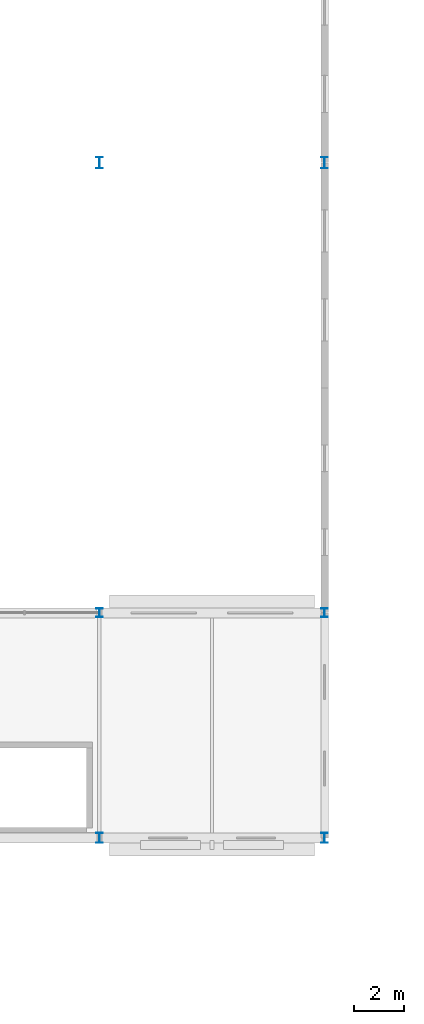
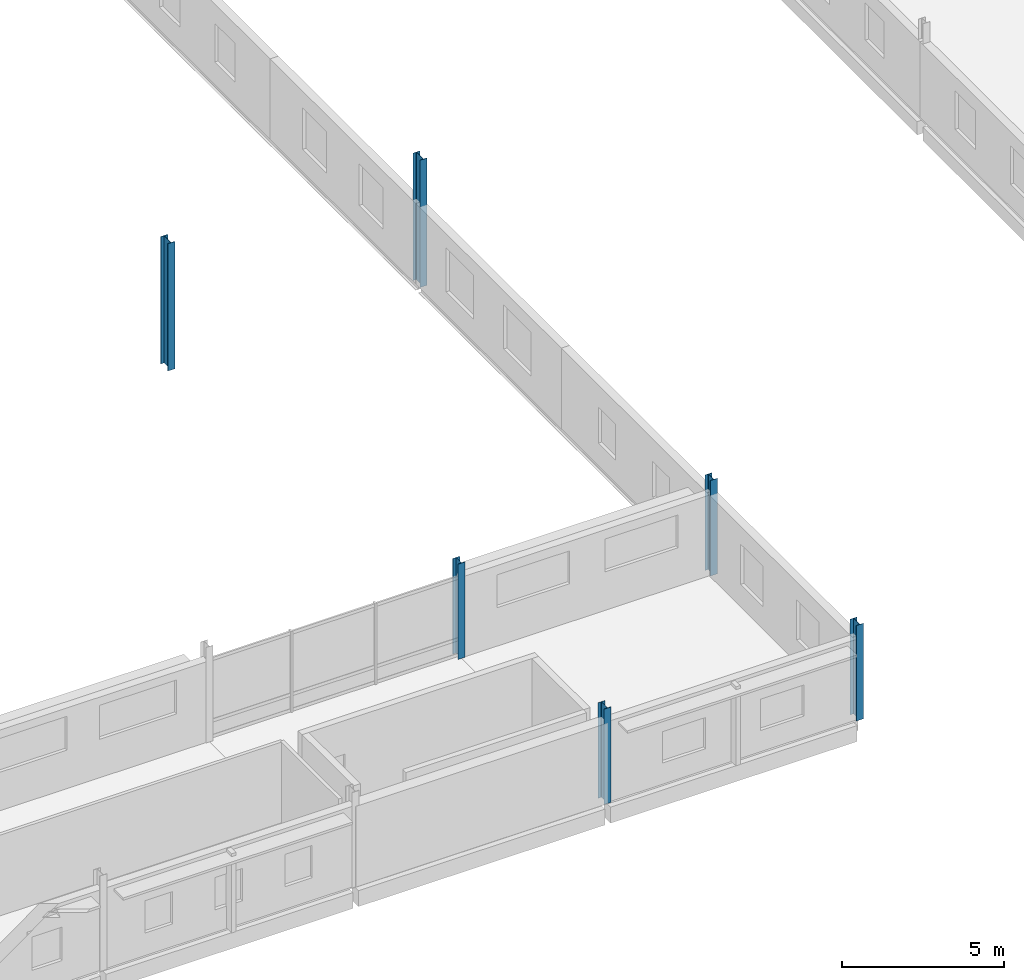
# One storey, part 18 of 132: 6 columns.
"""IFC4 building model written with IfcOpenShell, lengths in metres."""

from ifc_helpers import new_model, si_unit, direction, frame, origin, origin_2d, place, context, subcontext, project, spatial, i_section, extrude, material, material_profile, profile_set, type_object, element, save


model = new_model("IFC4")

# Units and contexts
model_context = context("Model", 3, precision=1e-05, world=origin(), true_north=direction((0.0, 1.0)))
body_context = subcontext(model_context, "Body", "Model", "MODEL_VIEW")
ifc_project = project(units=[si_unit("LENGTHUNIT", "METRE"), si_unit("AREAUNIT", "SQUARE_METRE"), si_unit("VOLUMEUNIT", "CUBIC_METRE"), si_unit("PLANEANGLEUNIT", "RADIAN"), si_unit("MASSUNIT", "GRAM", prefix="KILO")], contexts=[model_context])

# Site, building, storey
site_placement = place(None, origin())
site = spatial("IfcSite", under=ifc_project, at=site_placement, CompositionType="ELEMENT")
building_placement = place(site_placement, origin())
building = spatial("IfcBuilding", under=site, at=building_placement, Name="Tharagai Park Tramway Depot", CompositionType="ELEMENT")
storey_placement = place(building_placement, frame((0.0, 0.0, 4.800048828125)))
storey = spatial("IfcBuildingStorey", under=building, at=storey_placement, Name="L01", CompositionType="ELEMENT", Elevation=4.800048828125)

# Columns
ifc_material = material(Name="Steel E350", Category="steel")
ifc_material_profile_1 = material_profile(ifc_material, i_section(OverallWidth=0.25, OverallDepth=0.449951171875, WebThickness=0.01123046875, FlangeThickness=0.013671875, FilletRadius=0.014892578125, at=origin_2d()), Name="ISHB 450")
ifc_profile_set_1 = profile_set([ifc_material_profile_1], Name="Steel E350")
column_type_1 = type_object("IfcColumnType", Name="CL-01", PredefinedType="COLUMN", material=ifc_profile_set_1)
for number, where, z_axis, x_axis, name in (
    (1, (135.0, 117.0, 0.0), (0.0, 0.0, 1.0), (1.0, 0.0, 0.0), "Shed Stanchion CL-01 (135,117)"),
    (2, (144.0, 117.0, 0.0), (0.0, 0.0, 1.0), (1.0, 0.0, 0.0), "Shed Stanchion CL-01 (144,117)"),
):
    element("IfcColumn", number, at=place(storey_placement, frame(where, z_axis=z_axis, x_axis=x_axis)), inside=storey, type_object=column_type_1, Name=name, PredefinedType="COLUMN", context=body_context, shape_type="SweptSolid", body=[
        extrude(i_section(OverallWidth=0.25, OverallDepth=0.449951171875, WebThickness=0.01123046875, FlangeThickness=0.013671875, FilletRadius=0.014892578125, at=origin_2d()), origin(), (0.0, 0.0, 1.0), 4.800048828125),
    ])
ifc_material_profile_2 = material_profile(ifc_material, i_section(OverallWidth=0.25, OverallDepth=0.39990234375, WebThickness=0.010498046875, FlangeThickness=0.0126953125, FilletRadius=0.013916015625, at=origin_2d()), Name="ISHB 400")
ifc_profile_set_2 = profile_set([ifc_material_profile_2], Name="Steel E350")
column_type_2 = type_object("IfcColumnType", Name="CL-06", PredefinedType="COLUMN", material=ifc_profile_set_2)
for number, where, z_axis, x_axis, name in (
    (3, (135.0, 90.0, 0.0), (0.0, 0.0, 1.0), (1.0, 0.0, 0.0), "L01 Structural Column CL-06 (135,90)"),
    (4, (144.0, 90.0, 0.0), (0.0, 0.0, 1.0), (1.0, 0.0, 0.0), "L01 Structural Column CL-06 (144,90)"),
):
    element("IfcColumn", number, at=place(storey_placement, frame(where, z_axis=z_axis, x_axis=x_axis)), inside=storey, type_object=column_type_2, Name=name, PredefinedType="COLUMN", context=body_context, shape_type="SweptSolid", body=[
        extrude(i_section(OverallWidth=0.25, OverallDepth=0.39990234375, WebThickness=0.010498046875, FlangeThickness=0.0126953125, FilletRadius=0.013916015625, at=origin_2d()), origin(), (0.0, 0.0, 1.0), 3.599853515625),
    ])
ifc_material_profile_3 = material_profile(ifc_material, i_section(OverallWidth=0.25, OverallDepth=0.35009765625, WebThickness=0.010009765625, FlangeThickness=0.01171875, FilletRadius=0.011962890625, at=origin_2d()), Name="ISHB 350")
ifc_profile_set_3 = profile_set([ifc_material_profile_3], Name="Steel E350")
column_type_3 = type_object("IfcColumnType", Name="CL-09", PredefinedType="COLUMN", material=ifc_profile_set_3)
for number, where, z_axis, x_axis, name in (
    (5, (135.0, 99.0, 0.0), (0.0, 0.0, 1.0), (1.0, 0.0, 0.0), "L01 Structural Column CL-09 (135,99)"),
    (6, (144.0, 99.0, 0.0), (0.0, 0.0, 1.0), (1.0, 0.0, 0.0), "L01 Structural Column CL-09 (144,99)"),
):
    element("IfcColumn", number, at=place(storey_placement, frame(where, z_axis=z_axis, x_axis=x_axis)), inside=storey, type_object=column_type_3, Name=name, PredefinedType="COLUMN", context=body_context, shape_type="SweptSolid", body=[
        extrude(i_section(OverallWidth=0.25, OverallDepth=0.35009765625, WebThickness=0.010009765625, FlangeThickness=0.01171875, FilletRadius=0.011962890625, at=origin_2d()), origin(), (0.0, 0.0, 1.0), 3.599853515625),
    ])

save(model, "model.ifc")
